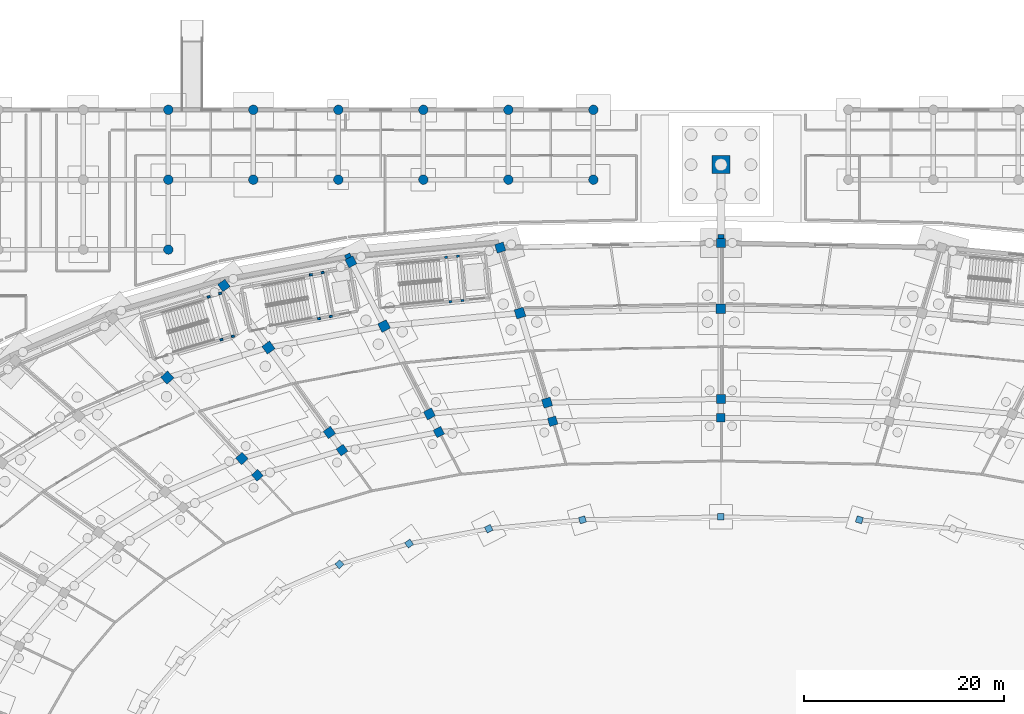
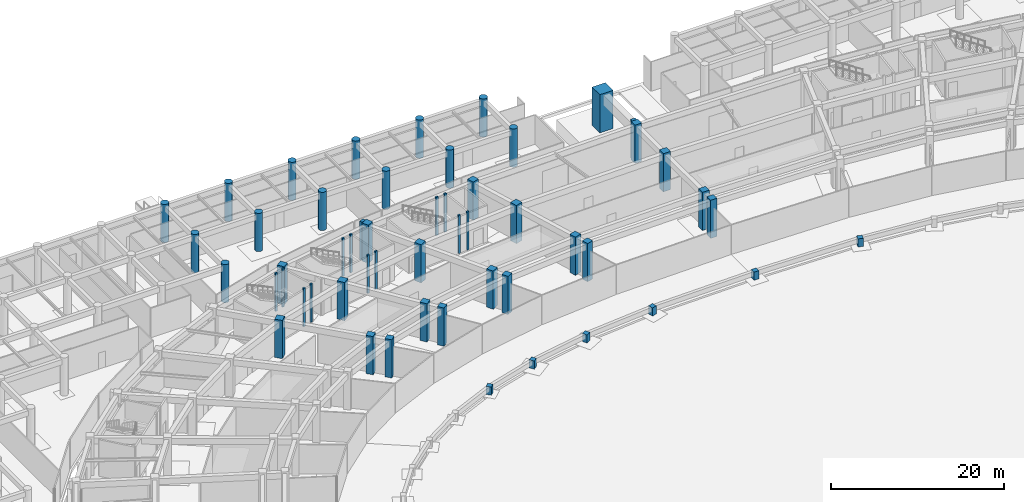
# One storey, part 22 of 88: 53 columns.
"""IFC4 building model written with IfcOpenShell, lengths in metres."""

from ifc_helpers import new_model, si_unit, direction, frame, origin, origin_2d, place, context, subcontext, project, spatial, rectangle, circle, extrude, material, material_profile, profile_set, type_object, element, save


model = new_model("IFC4")

# Units and contexts
model_context = context("Model", 3, precision=1e-05, world=origin(), true_north=direction((0.0, 1.0)))
body_context = subcontext(model_context, "Body", "Model", "MODEL_VIEW")
ifc_project = project(units=[si_unit("LENGTHUNIT", "METRE"), si_unit("AREAUNIT", "SQUARE_METRE"), si_unit("VOLUMEUNIT", "CUBIC_METRE"), si_unit("PLANEANGLEUNIT", "RADIAN"), si_unit("MASSUNIT", "GRAM", prefix="KILO")], contexts=[model_context])

# Site, building, storey
site_placement = place(None, origin())
site = spatial("IfcSite", under=ifc_project, at=site_placement, CompositionType="ELEMENT")
building_placement = place(site_placement, origin())
building = spatial("IfcBuilding", under=site, at=building_placement, Name="Mphavela Belvedere Stadium", CompositionType="ELEMENT")
storey_placement = place(building_placement, origin())
storey = spatial("IfcBuildingStorey", under=building, at=storey_placement, Name="L00", CompositionType="ELEMENT", Elevation=0.0)

# Columns
ifc_material_1 = material(Name="Concrete C40/50", Category="concrete")
ifc_material_profile_1 = material_profile(ifc_material_1, rectangle(XDim=0.300048828125, YDim=0.219970703125, at=origin_2d()), Name="RC 300x220")
ifc_profile_set_1 = profile_set([ifc_material_profile_1], Name="Concrete C40/50")
column_type_1 = type_object("IfcColumnType", Name="COL-CORE-POST-300", PredefinedType="COLUMN", material=ifc_profile_set_1)
for number, where, z_axis, x_axis, name in (
    (1, (74.728515625, 153.078125, 0.0), (0.0, 0.0, 1.0), (0.983095502692, 0.183093507769, 0.0), "Core C02 stair frame column L00-1"),
    (2, (75.908203125, 153.2978515625, 0.0), (0.0, 0.0, 1.0), (0.983095502692, 0.183093507769, 0.0), "Core C02 stair frame column L00-2"),
    (3, (75.08984375, 157.6923828125, 0.0), (0.0, 0.0, 1.0), (0.983095502692, 0.183093507769, 0.0), "Core C02 stair frame column L00-3"),
    (4, (73.91015625, 157.47265625, 0.0), (0.0, 0.0, 1.0), (0.983095502692, 0.183093507769, 0.0), "Core C02 stair frame column L00-4"),
    (5, (87.893798828125, 154.77294921875, 0.0), (0.0, 0.0, 1.0), (0.995479460536, 0.094977069084, 0.0), "Core C04 stair frame column L00-1"),
    (6, (89.08837890625, 154.886962890625, 0.0), (0.0, 0.0, 1.0), (0.995479460536, 0.094977069084, 0.0), "Core C04 stair frame column L00-2"),
    (7, (88.663818359375, 159.3369140625, 0.0), (0.0, 0.0, 1.0), (0.995479460536, 0.094977069084, 0.0), "Core C04 stair frame column L00-3"),
    (8, (87.46923828125, 159.222900390625, 0.0), (0.0, 0.0, 1.0), (0.995479460536, 0.094977069084, 0.0), "Core C04 stair frame column L00-4"),
    (9, (64.94580078125, 150.971923828125, 0.0), (0.0, 0.0, 1.0), (0.958670893355, 0.284517342588, 0.0), "Core P03 stair frame column L00-1"),
    (10, (66.09619140625, 151.313232421875, 0.0), (0.0, 0.0, 1.0), (0.958670893355, 0.284517342588, 0.0), "Core P03 stair frame column L00-2"),
    (11, (64.824462890625, 155.5986328125, 0.0), (0.0, 0.0, 1.0), (0.958670893355, 0.284517342588, 0.0), "Core P03 stair frame column L00-3"),
    (12, (63.674072265625, 155.257080078125, 0.0), (0.0, 0.0, 1.0), (0.958670893355, 0.284517342588, 0.0), "Core P03 stair frame column L00-4"),
):
    element("IfcColumn", number, at=place(storey_placement, frame(where, z_axis=z_axis, x_axis=x_axis)), inside=storey, type_object=column_type_1, Name=name, PredefinedType="COLUMN", context=body_context, shape_type="SweptSolid", body=[
        extrude(rectangle(XDim=0.300048828125, YDim=0.219970703125, at=origin_2d()), origin(), (0.0, 0.0, 1.0), 5.39990234375),
    ])
ifc_material_2 = material(Name="Concrete C40/50", Category="concrete")
ifc_material_profile_2 = material_profile(ifc_material_2, circle(Radius=0.47509765625, at=origin_2d()), Name="COL D950")
ifc_profile_set_2 = profile_set([ifc_material_profile_2], Name="Concrete C40/50")
column_type_2 = type_object("IfcColumnType", Name="COL-DORIC-950", PredefinedType="COLUMN", material=ifc_profile_set_2)
for number, where, z_axis, x_axis, name in (
    (13, (59.6298828125, 160.0, 0.0), (0.0, 0.0, 1.0), (1.0, 0.0, 0.0), "North Mast and Ceremonial End Forecourt classical column L00 8-6"),
    (14, (59.6298828125, 167.0, 0.0), (0.0, 0.0, 1.0), (1.0, 0.0, 0.0), "North Mast and Ceremonial End Forecourt classical column L00 8-7"),
    (15, (59.6298828125, 174.0, 0.0), (0.0, 0.0, 1.0), (1.0, 0.0, 0.0), "North Mast and Ceremonial End Forecourt classical column L00 8-8"),
    (16, (68.14794921875, 167.0, 0.0), (0.0, 0.0, 1.0), (1.0, 0.0, 0.0), "North Mast and Ceremonial End Forecourt classical column L00 9-7"),
    (17, (68.14794921875, 174.0, 0.0), (0.0, 0.0, 1.0), (1.0, 0.0, 0.0), "North Mast and Ceremonial End Forecourt classical column L00 9-8"),
    (18, (76.6669921875, 167.0, 0.0), (0.0, 0.0, 1.0), (1.0, 0.0, 0.0), "North Mast and Ceremonial End Forecourt classical column L00 10-7"),
    (19, (76.6669921875, 174.0, 0.0), (0.0, 0.0, 1.0), (1.0, 0.0, 0.0), "North Mast and Ceremonial End Forecourt classical column L00 10-8"),
    (20, (85.18505859375, 167.0, 0.0), (0.0, 0.0, 1.0), (1.0, 0.0, 0.0), "North Mast and Ceremonial End Forecourt classical column L00 11-7"),
    (21, (85.18505859375, 174.0, 0.0), (0.0, 0.0, 1.0), (1.0, 0.0, 0.0), "North Mast and Ceremonial End Forecourt classical column L00 11-8"),
    (22, (93.7041015625, 167.0, 0.0), (0.0, 0.0, 1.0), (1.0, 0.0, 0.0), "North Mast and Ceremonial End Forecourt classical column L00 12-7"),
    (23, (93.7041015625, 174.0, 0.0), (0.0, 0.0, 1.0), (1.0, 0.0, 0.0), "North Mast and Ceremonial End Forecourt classical column L00 12-8"),
    (24, (102.221923828125, 167.0, 0.0), (0.0, 0.0, 1.0), (1.0, 0.0, 0.0), "North Mast and Ceremonial End Forecourt classical column L00 13-7"),
    (25, (102.221923828125, 174.0, 0.0), (0.0, 0.0, 1.0), (1.0, 0.0, 0.0), "North Mast and Ceremonial End Forecourt classical column L00 13-8"),
):
    element("IfcColumn", number, at=place(storey_placement, frame(where, z_axis=z_axis, x_axis=x_axis)), inside=storey, type_object=column_type_2, Name=name, PredefinedType="COLUMN", context=body_context, shape_type="SweptSolid", body=[
        extrude(circle(Radius=0.47509765625, at=origin_2d()), origin(), (0.0, 0.0, 1.0), 5.39990234375),
    ])
ifc_material_3 = material(Name="Concrete C50/60", Category="concrete")
ifc_material_profile_3 = material_profile(ifc_material_3, rectangle(XDim=1.800048828125, YDim=1.800048828125, at=origin_2d()), Name="RC 1800x1800")
ifc_profile_set_3 = profile_set([ifc_material_profile_3], Name="Concrete C50/60")
column_type_3 = type_object("IfcColumnType", Name="COL-MAST-PIER", PredefinedType="COLUMN", material=ifc_profile_set_3)
column_placement = place(storey_placement, frame((115.0, 168.5, 0.0), z_axis=(0.0, 0.0, 1.0), x_axis=(1.0, 0.0, 0.0)))
element("IfcColumn", 26, at=column_placement, inside=storey, type_object=column_type_3, Name="North mast buttress pier L00 MP-1", PredefinedType="COLUMN", context=body_context, shape_type="SweptSolid", body=[
    extrude(rectangle(XDim=1.800048828125, YDim=1.800048828125, at=origin_2d()), origin(), (0.0, 0.0, 1.0), 5.39990234375),
])
ifc_material_4 = material(Name="Concrete C40/50", Category="concrete")
ifc_material_profile_4 = material_profile(ifc_material_4, rectangle(XDim=0.64990234375, YDim=0.64990234375, at=origin_2d()), Name="RC 650x650")
ifc_profile_set_4 = profile_set([ifc_material_profile_4], Name="Concrete C40/50")
column_type_4 = type_object("IfcColumnType", Name="COL-RC650", PredefinedType="COLUMN", material=ifc_profile_set_4)
for number, where, z_axis, x_axis, name in (
    (27, (128.873779296875, 132.918701171875, 0.0), (0.0, 0.0, 1.0), (0.289198876314, 0.957269037387, 0.0), "Lower tier plinth column 12"),
    (28, (115.0, 133.217529296875, 0.0), (0.0, 0.0, 1.0), (0.0, 1.0, 0.0), "Lower tier plinth column 13"),
    (29, (101.126220703125, 132.918701171875, 0.0), (0.0, 0.0, 1.0), (-0.289198876314, 0.957269037387, 0.0), "Lower tier plinth column 14"),
    (30, (91.741943359375, 132.02392578125, 0.0), (0.0, 0.0, 1.0), (-0.458959712465, 0.888457079624, 0.0), "Lower tier plinth column 15"),
    (31, (83.7568359375, 130.53662109375, 0.0), (0.0, 0.0, 1.0), (-0.582974127943, 0.812490717577, 0.0), "Lower tier plinth column 16"),
    (32, (76.770263671875, 128.462890625, 0.0), (0.0, 0.0, 1.0), (-0.677903094969, 0.735151272753, 0.0), "Lower tier plinth column 17"),
):
    element("IfcColumn", number, at=place(storey_placement, frame(where, z_axis=z_axis, x_axis=x_axis)), inside=storey, type_object=column_type_4, Name=name, PredefinedType="COLUMN", context=body_context, shape_type="SweptSolid", body=[
        extrude(rectangle(XDim=0.64990234375, YDim=0.64990234375, at=origin_2d()), origin(), (0.0, 0.0, 1.0), 1.14990234375),
    ])
ifc_material_5 = material(Name="Concrete C40/50", Category="concrete")
ifc_material_profile_5 = material_profile(ifc_material_5, rectangle(XDim=0.85009765625, YDim=0.85009765625, at=origin_2d()), Name="RC 850x850")
ifc_profile_set_5 = profile_set([ifc_material_profile_5], Name="Concrete C40/50")
column_type_5 = type_object("IfcColumnType", Name="COL-RC850", PredefinedType="COLUMN", material=ifc_profile_set_5)
for number, where, z_axis, x_axis, name in (
    (33, (115.0, 143.156005859375, 0.0), (0.0, 0.0, 1.0), (0.0, 1.0, 0.0), "Inner concourse column L00 R1-13"),
    (34, (98.142822265625, 142.79296875, 0.0), (0.0, 0.0, 1.0), (-0.289198876314, 0.957269037387, 0.0), "Inner concourse column L00 R1-14"),
    (35, (86.74072265625, 141.705810546875, 0.0), (0.0, 0.0, 1.0), (-0.458959712465, 0.888457079624, 0.0), "Inner concourse column L00 R1-15"),
    (36, (77.038330078125, 139.898681640625, 0.0), (0.0, 0.0, 1.0), (-0.582974127943, 0.812490717577, 0.0), "Inner concourse column L00 R1-16"),
    (37, (68.549560546875, 137.37890625, 0.0), (0.0, 0.0, 1.0), (-0.677903094969, 0.735151272753, 0.0), "Inner concourse column L00 R1-17"),
):
    element("IfcColumn", number, at=place(storey_placement, frame(where, z_axis=z_axis, x_axis=x_axis)), inside=storey, type_object=column_type_5, Name=name, PredefinedType="COLUMN", context=body_context, shape_type="SweptSolid", body=[
        extrude(rectangle(XDim=0.85009765625, YDim=0.85009765625, at=origin_2d()), origin(), (0.0, 0.0, 1.0), 5.39990234375),
    ])
ifc_material_6 = material(Name="Concrete C40/50", Category="concrete")
ifc_material_profile_6 = material_profile(ifc_material_6, rectangle(XDim=0.89990234375, YDim=0.89990234375, at=origin_2d()), Name="RC 900x900")
ifc_profile_set_6 = profile_set([ifc_material_profile_6], Name="Concrete C40/50")
column_type_6 = type_object("IfcColumnType", Name="COL-RC900", PredefinedType="COLUMN", material=ifc_profile_set_6)
for number, where, z_axis, x_axis, name in (
    (38, (115.0, 145.032470703125, 0.0), (0.0, 0.0, 1.0), (0.0, 1.0, 0.0), "Middle concourse column L00 R2-13"),
    (39, (115.0, 160.669921875, 0.0), (0.0, 0.0, 1.0), (0.0, 1.0, 0.0), "Outer colonnade column L00 R4-13"),
    (40, (97.57958984375, 144.657470703125, 0.0), (0.0, 0.0, 1.0), (-0.289198876314, 0.957269037387, 0.0), "Middle concourse column L00 R2-14"),
    (41, (92.885498046875, 160.19384765625, 0.0), (0.0, 0.0, 1.0), (-0.289198876314, 0.957269037387, 0.0), "Outer colonnade column L00 R4-14"),
    (42, (85.79638671875, 143.53369140625, 0.0), (0.0, 0.0, 1.0), (-0.458959712465, 0.888457079624, 0.0), "Middle concourse column L00 R2-15"),
    (43, (77.92724609375, 158.767333984375, 0.0), (0.0, 0.0, 1.0), (-0.458959712465, 0.888457079624, 0.0), "Outer colonnade column L00 R4-15"),
    (44, (75.769775390625, 141.66650390625, 0.0), (0.0, 0.0, 1.0), (-0.582974127943, 0.812490717577, 0.0), "Middle concourse column L00 R2-16"),
    (45, (65.19873046875, 156.39697265625, 0.0), (0.0, 0.0, 1.0), (-0.582974127943, 0.812490717577, 0.0), "Outer colonnade column L00 R4-16"),
    (46, (66.997314453125, 139.0625, 0.0), (0.0, 0.0, 1.0), (-0.677903094969, 0.735151272753, 0.0), "Middle concourse column L00 R2-17"),
):
    element("IfcColumn", number, at=place(storey_placement, frame(where, z_axis=z_axis, x_axis=x_axis)), inside=storey, type_object=column_type_6, Name=name, PredefinedType="COLUMN", context=body_context, shape_type="SweptSolid", body=[
        extrude(rectangle(XDim=0.89990234375, YDim=0.89990234375, at=origin_2d()), origin(), (0.0, 0.0, 1.0), 5.39990234375),
    ])
ifc_material_7 = material(Name="Concrete C40/50", Category="concrete")
ifc_material_profile_7 = material_profile(ifc_material_7, rectangle(XDim=0.949951171875, YDim=0.949951171875, at=origin_2d()), Name="RC 950x950")
ifc_profile_set_7 = profile_set([ifc_material_profile_7], Name="Concrete C40/50")
column_type_7 = type_object("IfcColumnType", Name="COL-RC950", PredefinedType="COLUMN", material=ifc_profile_set_7)
for number, where, z_axis, x_axis, name in (
    (47, (115.0, 154.0673828125, 0.0), (0.0, 0.0, 1.0), (0.0, 1.0, 0.0), "Main bowl column L00 R3-13"),
    (48, (94.8671875, 153.634033203125, 0.0), (0.0, 0.0, 1.0), (-0.289198876314, 0.957269037387, 0.0), "Main bowl column L00 R3-14"),
    (49, (81.249755859375, 152.33544921875, 0.0), (0.0, 0.0, 1.0), (-0.458959712465, 0.888457079624, 0.0), "Main bowl column L00 R3-15"),
    (50, (69.662109375, 150.177490234375, 0.0), (0.0, 0.0, 1.0), (-0.582974127943, 0.812490717577, 0.0), "Main bowl column L00 R3-16"),
    (51, (59.523681640625, 147.16796875, 0.0), (0.0, 0.0, 1.0), (-0.677903094969, 0.735151272753, 0.0), "Main bowl column L00 R3-17"),
):
    element("IfcColumn", number, at=place(storey_placement, frame(where, z_axis=z_axis, x_axis=x_axis)), inside=storey, type_object=column_type_7, Name=name, PredefinedType="COLUMN", context=body_context, shape_type="SweptSolid", body=[
        extrude(rectangle(XDim=0.949951171875, YDim=0.949951171875, at=origin_2d()), origin(), (0.0, 0.0, 1.0), 5.39990234375),
    ])
ifc_material_8 = material(Name="Concrete C40/50", Category="concrete")
ifc_material_profile_8 = material_profile(ifc_material_8, rectangle(XDim=0.60009765625, YDim=0.39990234375, at=origin_2d()), Name="PIL 600x400")
ifc_profile_set_8 = profile_set([ifc_material_profile_8], Name="Concrete C40/50")
column_type_8 = type_object("IfcColumnType", Name="PIL-FLUTED-600", PredefinedType="PILASTER", material=ifc_profile_set_8)
for number, where, z_axis, x_axis, name in (
    (52, (115.0, 161.322998046875, 0.0), (0.0, 0.0, 1.0), (-1.0, 0.0, 0.0), "Fluted classical pilaster L00-13"),
    (53, (77.62744140625, 159.34765625, 0.0), (0.0, 0.0, 1.0), (-0.888457079624, -0.458959712465, 0.0), "Fluted classical pilaster L00-15"),
):
    element("IfcColumn", number, at=place(storey_placement, frame(where, z_axis=z_axis, x_axis=x_axis)), inside=storey, type_object=column_type_8, Name=name, PredefinedType="PILASTER", context=body_context, shape_type="SweptSolid", body=[
        extrude(rectangle(XDim=0.60009765625, YDim=0.39990234375, at=origin_2d()), origin(), (0.0, 0.0, 1.0), 5.39990234375),
    ])

save(model, "model.ifc")
